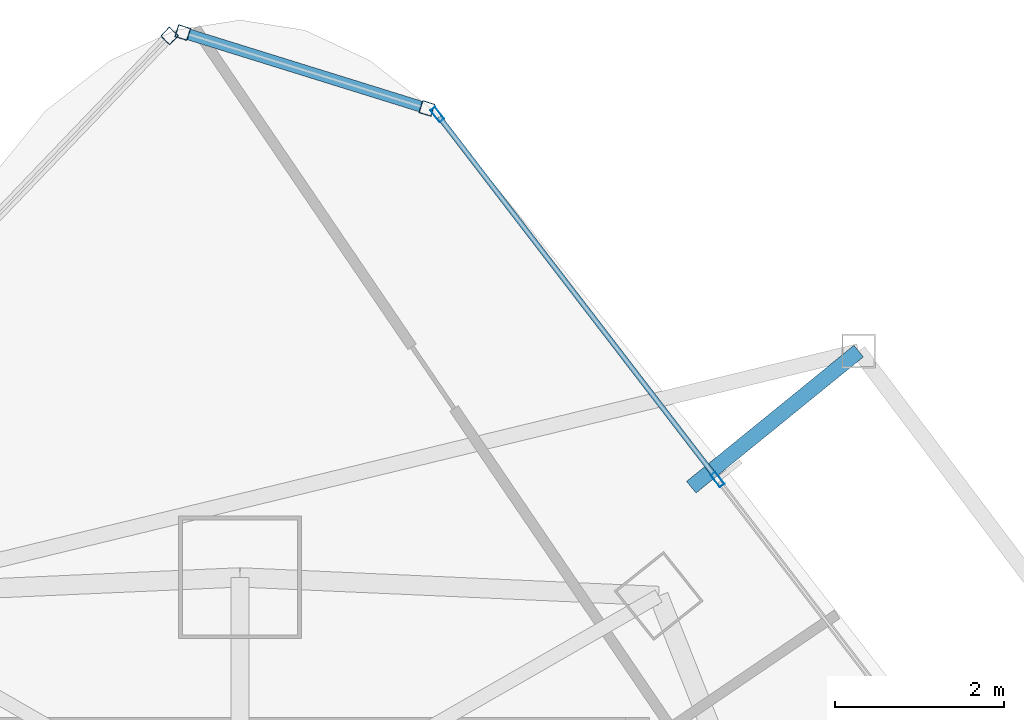
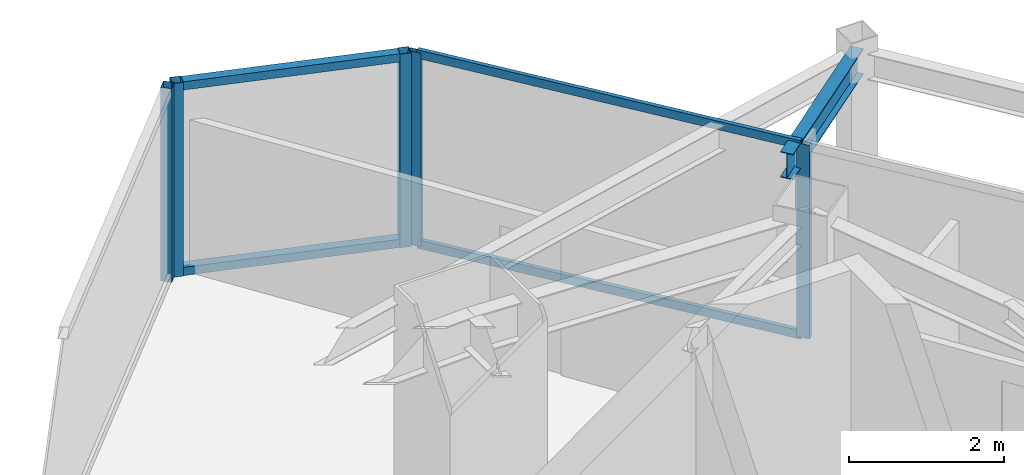
# One storey, part 21 of 29: 9 members, 1 beam, 3 elements without a shape of their own.
"""IFC4 building model written with IfcOpenShell, lengths in metres."""

from ifc_helpers import new_model, si_unit, direction, frame, origin, origin_2d, place, context, subcontext, project, spatial, hollow_rectangle, i_section, extrude, material, layer, layer_set, material_profile, profile_set, type_object, element, aggregate, save


model = new_model("IFC4")

# Units and contexts
model_context = context("Model", 3, precision=1e-05, world=origin(), true_north=direction((0.0, 1.0)))
body_context = subcontext(model_context, "Body", "Model", "MODEL_VIEW")
ifc_project = project(units=[si_unit("LENGTHUNIT", "METRE"), si_unit("AREAUNIT", "SQUARE_METRE"), si_unit("VOLUMEUNIT", "CUBIC_METRE"), si_unit("PLANEANGLEUNIT", "RADIAN"), si_unit("MASSUNIT", "GRAM", prefix="KILO")], contexts=[model_context])

# Site, building, storey
site_placement = place(None, origin())
site = spatial("IfcSite", under=ifc_project, at=site_placement, CompositionType="ELEMENT")
building_placement = place(site_placement, origin())
building = spatial("IfcBuilding", under=site, at=building_placement, Name="Orvanel Arch Residences", CompositionType="ELEMENT")
storey_placement = place(building_placement, frame((0.0, 0.0, 163.85009765625)))
storey = spatial("IfcBuildingStorey", under=building, at=storey_placement, Name="L46", CompositionType="ELEMENT", Elevation=163.85009765625)

# Curtain wall, members
ifc_material_1 = material(Name="Bronze-anodised aluminium AA6063-T6", Category="aluminium")
ifc_layer_1 = layer(ifc_material_1, 0.18994140625)
ifc_layer_set_1 = layer_set([ifc_layer_1], Name="Bronze-anodised aluminium AA6063-T6")
curtain_wall_type_1 = type_object("IfcCurtainWallType", Name="CW5-CRN-SYS", PredefinedType="NOTDEFINED", material=ifc_layer_set_1)
curtain_wall_1_placement = place(storey_placement, origin())
curtain_wall_1 = element("IfcCurtainWall", 1, at=curtain_wall_1_placement, inside=storey, type_object=curtain_wall_type_1, Name="L46 CW5-CRN-SYS Unitised Curtain Wall", PredefinedType="NOTDEFINED")
ifc_material_profile_1 = material_profile(ifc_material_1, hollow_rectangle(XDim=0.14990234375, YDim=0.14990234375, WallThickness=0.0048828125, at=origin_2d()), Name="ALU150x150x5")
ifc_profile_set_1 = profile_set([ifc_material_profile_1], Name="Bronze-anodised aluminium AA6063-T6")
member_type_1 = type_object("IfcMemberType", Name="MUL-150x150", PredefinedType="MULLION", material=ifc_profile_set_1)
member_1_placement = place(storey_placement, frame((35.20947265625, 46.9423828125, 0.0), z_axis=(0.0, 0.0, 1.0), x_axis=(-0.296964354122, -0.954888565426, 0.0)))
member_1 = element("IfcMember", 2, at=member_1_placement, type_object=member_type_1, Name="CW-S5 mullion 1", PredefinedType="MULLION", context=body_context, shape_type="SweptSolid", body=[
    extrude(hollow_rectangle(XDim=0.14990234375, YDim=0.14990234375, WallThickness=0.0048828125, at=origin_2d()), origin(), (0.0, 0.0, 1.0), 3.059814453125),
])
member_2_placement = place(storey_placement, frame((32.32373046875, 47.83984375, 0.0), z_axis=(0.0, 0.0, 1.0), x_axis=(-0.296964354122, -0.954888565426, 0.0)))
member_2 = element("IfcMember", 3, at=member_2_placement, type_object=member_type_1, Name="CW-S5 mullion 2", PredefinedType="MULLION", context=body_context, shape_type="SweptSolid", body=[
    extrude(hollow_rectangle(XDim=0.14990234375, YDim=0.14990234375, WallThickness=0.0048828125, at=origin_2d()), origin(), (0.0, 0.0, 1.0), 3.059814453125),
])

# Curtain wall, member
curtain_wall_2_placement = place(storey_placement, origin())
curtain_wall_2 = element("IfcCurtainWall", 4, at=curtain_wall_2_placement, inside=storey, type_object=curtain_wall_type_1, Name="L46 CW5-CRN-SYS Unitised Curtain Wall", PredefinedType="NOTDEFINED")
member_3_placement = place(storey_placement, frame((32.167236328125, 47.7998046875, 0.0), z_axis=(0.0, 0.0, 1.0), x_axis=(0.72235820669, -0.69151906787, 0.0)))
member_3 = element("IfcMember", 5, at=member_3_placement, type_object=member_type_1, Name="CW-S5 mullion 1", PredefinedType="MULLION", context=body_context, shape_type="SweptSolid", body=[
    extrude(hollow_rectangle(XDim=0.14990234375, YDim=0.14990234375, WallThickness=0.0048828125, at=origin_2d()), origin(), (0.0, 0.0, 1.0), 3.059814453125),
])
aggregate(curtain_wall_2, [member_3])

# Curtain wall, members
ifc_layer_2 = layer(ifc_material_1, 0.179931640625)
ifc_layer_set_2 = layer_set([ifc_layer_2], Name="Bronze-anodised aluminium AA6063-T6")
curtain_wall_type_2 = type_object("IfcCurtainWallType", Name="CW3-MID-SYS", PredefinedType="NOTDEFINED", material=ifc_layer_set_2)
curtain_wall_3_placement = place(storey_placement, origin())
curtain_wall_3 = element("IfcCurtainWall", 6, at=curtain_wall_3_placement, inside=storey, type_object=curtain_wall_type_2, Name="L46 CW3-MID-SYS Unitised Curtain Wall", PredefinedType="NOTDEFINED")
ifc_material_profile_2 = material_profile(ifc_material_1, hollow_rectangle(XDim=0.070068359375, YDim=0.179931640625, WallThickness=0.00439453125, at=origin_2d()), Name="ALU180x70x4.5")
ifc_profile_set_2 = profile_set([ifc_material_profile_2], Name="Bronze-anodised aluminium AA6063-T6")
member_type_2 = type_object("IfcMemberType", Name="MUL-180x70", PredefinedType="MULLION", material=ifc_profile_set_2)
member_4_placement = place(storey_placement, frame((38.646728515625, 42.555908203125, 0.0), z_axis=(0.0, 0.0, 1.0), x_axis=(-0.793094540336, -0.609098555317, 0.0)))
member_4 = element("IfcMember", 7, at=member_4_placement, type_object=member_type_2, Name="CW-S3 mullion 3", PredefinedType="MULLION", context=body_context, shape_type="SweptSolid", body=[
    extrude(hollow_rectangle(XDim=0.070068359375, YDim=0.179931640625, WallThickness=0.00439453125, at=origin_2d()), origin(), (0.0, 0.0, 1.0), 3.059814453125),
])
member_5_placement = place(storey_placement, frame((35.333251953125, 46.870361328125, 0.0), z_axis=(0.0, 0.0, 1.0), x_axis=(-0.793094540336, -0.609098555317, 0.0)))
member_5 = element("IfcMember", 8, at=member_5_placement, type_object=member_type_2, Name="CW-S3 mullion 4", PredefinedType="MULLION", context=body_context, shape_type="SweptSolid", body=[
    extrude(hollow_rectangle(XDim=0.070068359375, YDim=0.179931640625, WallThickness=0.00439453125, at=origin_2d()), origin(), (0.0, 0.0, 1.0), 3.059814453125),
])

# Beam
ifc_material_2 = material(Name="Structural steel AS/NZS 3679.1 Grade 300 (300 MPa)", Category="steel")
ifc_material_profile_3 = material_profile(ifc_material_2, i_section(OverallWidth=0.177978515625, OverallDepth=0.406005859375, WebThickness=0.0078125, FlangeThickness=0.0126953125, at=origin_2d()), Name="410UB59.7")
ifc_profile_set_3 = profile_set([ifc_material_profile_3], Name="Structural steel AS/NZS 3679.1 Grade 300 (300 MPa)")
beam_type = type_object("IfcBeamType", Name="OB-410UB-EXT", PredefinedType="SPANDREL", material=ifc_profile_set_3)
beam_placement = place(storey_placement, frame((38.3359375, 42.464111328125, 2.85693359375), z_axis=(0.775932431682, 0.630816028224, 0.0), x_axis=(-0.630816028224, 0.775932431682, 0.0)))
element("IfcBeam", 9, at=beam_placement, inside=storey, type_object=beam_type, Name="L46 Outer Frame Radial Tie Beam 12", PredefinedType="SPANDREL", context=body_context, shape_type="SweptSolid", body=[
    extrude(i_section(OverallWidth=0.177978515625, OverallDepth=0.406005859375, WebThickness=0.0078125, FlangeThickness=0.0126953125, at=origin_2d()), origin(), (0.0, 0.0, 1.0), 2.550537109375),
])

# Member
ifc_material_profile_4 = material_profile(ifc_material_1, hollow_rectangle(XDim=0.1298828125, YDim=0.1298828125, WallThickness=0.00439453125, at=origin_2d()), Name="ALU130x130x4.5")
ifc_profile_set_4 = profile_set([ifc_material_profile_4], Name="Bronze-anodised aluminium AA6063-T6")
member_type_3 = type_object("IfcMemberType", Name="TRN-130x130", PredefinedType="USERDEFINED", material=ifc_profile_set_4)
member_6_placement = place(storey_placement, frame((35.1376953125, 46.964599609375, 0.06494140625), z_axis=(-0.954898027331, 0.296933927666, 0.0), x_axis=(-0.296933927666, -0.954898027331, 0.0)))
member_6 = element("IfcMember", 10, at=member_6_placement, type_object=member_type_3, Name="CW-S5 transom 1.1", ObjectType="TRANSOM", PredefinedType="USERDEFINED", context=body_context, shape_type="SweptSolid", body=[
    extrude(hollow_rectangle(XDim=0.1298828125, YDim=0.1298828125, WallThickness=0.00439453125, at=origin_2d()), origin(), (0.0, 0.0, 1.0), 2.8720703125),
])

member_7_placement = place(storey_placement, frame((35.1376953125, 46.964599609375, 2.994873046875), z_axis=(-0.954898027331, 0.296933927666, 0.0), x_axis=(-0.296933927666, -0.954898027331, 0.0)))
member_7 = element("IfcMember", 11, at=member_7_placement, type_object=member_type_3, Name="CW-S5 transom 1.2", ObjectType="TRANSOM", PredefinedType="USERDEFINED", context=body_context, shape_type="SweptSolid", body=[
    extrude(hollow_rectangle(XDim=0.1298828125, YDim=0.1298828125, WallThickness=0.00439453125, at=origin_2d()), origin(), (0.0, 0.0, 1.0), 2.8720703125),
])

aggregate(curtain_wall_1, [member_1, member_2, member_6, member_7])

ifc_material_profile_5 = material_profile(ifc_material_1, hollow_rectangle(XDim=0.06005859375, YDim=0.135009765625, WallThickness=0.00390625, at=origin_2d()), Name="ALU135x60x4")
ifc_profile_set_5 = profile_set([ifc_material_profile_5], Name="Bronze-anodised aluminium AA6063-T6")
member_type_4 = type_object("IfcMemberType", Name="TRN-135x60", PredefinedType="USERDEFINED", material=ifc_profile_set_5)
member_8_placement = place(storey_placement, frame((38.625244140625, 42.583740234375, 0.02978515625), z_axis=(-0.609068959774, 0.793117268908, 0.0), x_axis=(-0.793117268908, -0.609068959774, 0.0)))
member_8 = element("IfcMember", 12, at=member_8_placement, type_object=member_type_4, Name="CW-S3 transom 3.1", ObjectType="TRANSOM", PredefinedType="USERDEFINED", context=body_context, shape_type="SweptSolid", body=[
    extrude(hollow_rectangle(XDim=0.06005859375, YDim=0.135009765625, WallThickness=0.00390625, at=origin_2d()), origin(), (0.0, 0.0, 1.0), 5.36962890625),
])

member_9_placement = place(storey_placement, frame((38.625244140625, 42.583740234375, 3.02978515625), z_axis=(-0.609068959774, 0.793117268908, 0.0), x_axis=(-0.793117268908, -0.609068959774, 0.0)))
member_9 = element("IfcMember", 13, at=member_9_placement, type_object=member_type_4, Name="CW-S3 transom 3.2", ObjectType="TRANSOM", PredefinedType="USERDEFINED", context=body_context, shape_type="SweptSolid", body=[
    extrude(hollow_rectangle(XDim=0.06005859375, YDim=0.135009765625, WallThickness=0.00390625, at=origin_2d()), origin(), (0.0, 0.0, 1.0), 5.36962890625),
])

aggregate(curtain_wall_3, [member_4, member_5, member_8, member_9])

save(model, "model.ifc")
